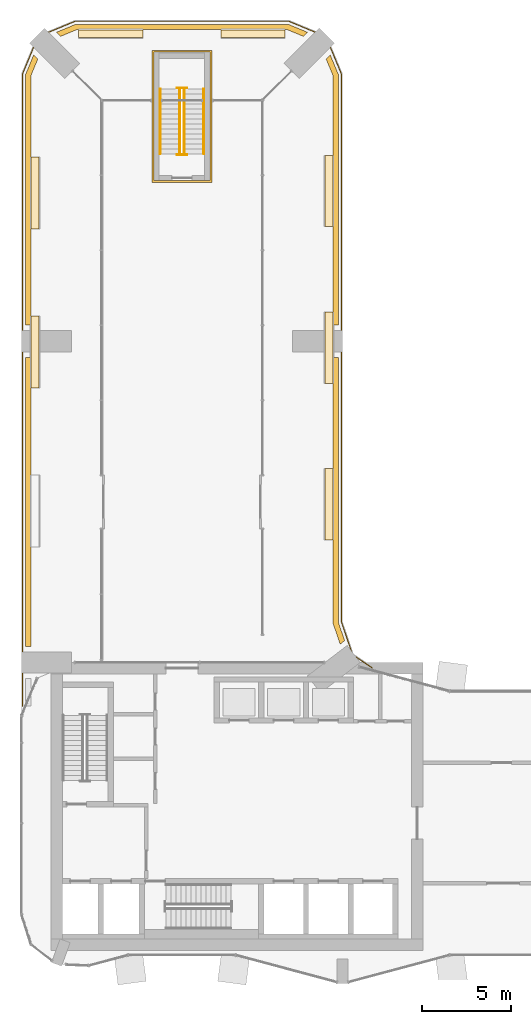
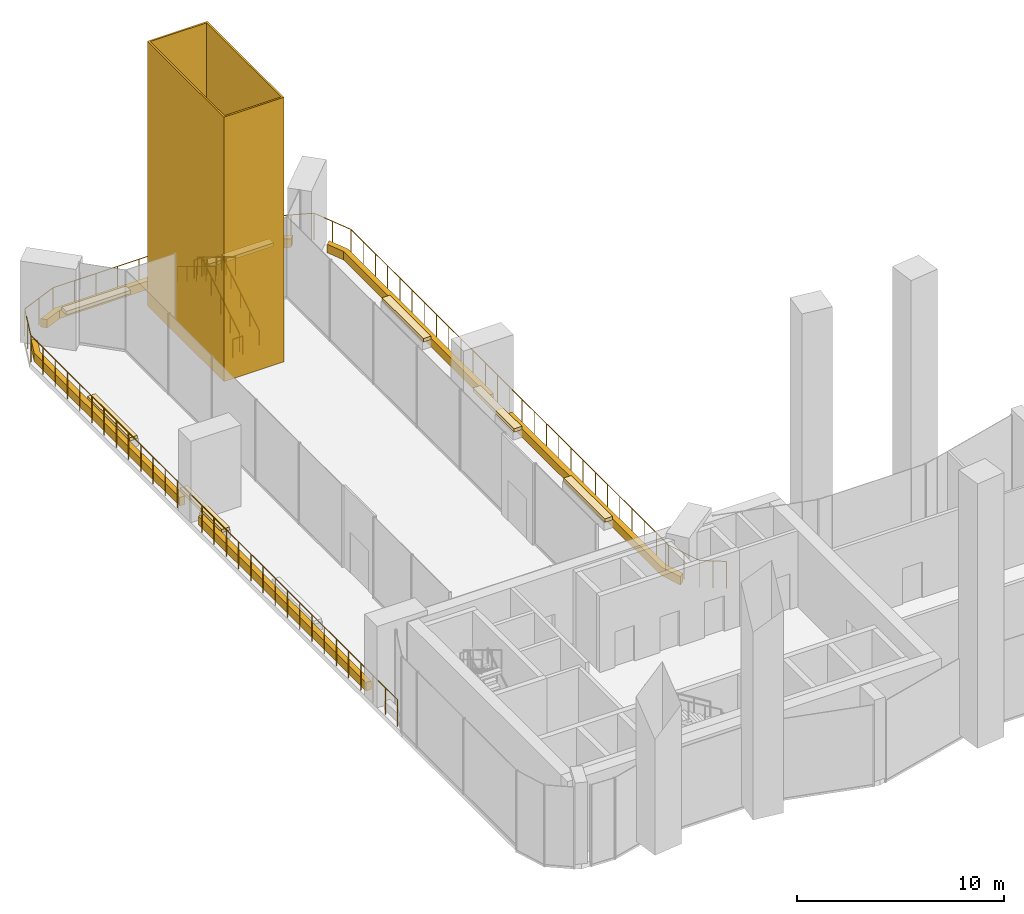
# One storey, part 21 of 23: 13 coverings, 7 railings.
"""IFC4 building model written with IfcOpenShell, lengths in metres."""

from ifc_helpers import new_model, si_unit, direction, frame, origin, origin_2d, place, context, subcontext, project, spatial, polyline, circle, outline, extrude, material, layer, layer_set, type_object, element, save


model = new_model("IFC4")

# Units and contexts
model_context = context("Model", 3, precision=1e-05, world=origin(), true_north=direction((0.0, 1.0)))
body_context = subcontext(model_context, "Body", "Model", "MODEL_VIEW")
ifc_project = project(units=[si_unit("LENGTHUNIT", "METRE"), si_unit("AREAUNIT", "SQUARE_METRE"), si_unit("VOLUMEUNIT", "CUBIC_METRE"), si_unit("PLANEANGLEUNIT", "RADIAN"), si_unit("MASSUNIT", "GRAM", prefix="KILO")], contexts=[model_context])

# Site, building, storey
site_placement = place(None, origin())
site = spatial("IfcSite", under=ifc_project, at=site_placement, CompositionType="ELEMENT")
building_placement = place(site_placement, origin())
building = spatial("IfcBuilding", under=site, at=building_placement, Name="Plateau Cross Towers", CompositionType="ELEMENT")
storey_placement = place(building_placement, frame((0.0, 0.0, 123.800048828125)))
storey = spatial("IfcBuildingStorey", under=building, at=storey_placement, Name="L32", CompositionType="ELEMENT", Elevation=123.800048828125)

# Railing
ifc_material_1 = material(Name="Stainless steel and toughened glass", Category="steel")
railing_type_1 = type_object("IfcRailingType", Name="Glass balustrade guard 1600", PredefinedType="GUARDRAIL", material=ifc_material_1)
railing_1_placement = place(storey_placement, frame((0.070556640625, 15.552978515625, 0.0)))
element("IfcRailing", 1, at=railing_1_placement, inside=storey, type_object=railing_type_1, Name="Guard guard1", PredefinedType="GUARDRAIL", context=body_context, shape_type="SweptSolid", body=[
    extrude(circle(Radius=0.02392578125, at=origin_2d()), frame((0.0, 0.0, 1.576171875), z_axis=(-1.3780368e-05, 0.999999999905, 0.0), x_axis=(-0.999999999905, -1.3780368e-05, 0.0)), (0.0, 0.0, 1.0), 35.43310546875),
    extrude(circle(Radius=0.02392578125, at=origin_2d()), frame((-0.00048828125, 35.43310546875, 1.576171875), z_axis=(0.382721830713, 0.92386362646, 0.0), x_axis=(-0.92386362646, 0.382721830713, 0.0)), (0.0, 0.0, 1.0), 2.253173828125),
    extrude(circle(Radius=0.02392578125, at=origin_2d()), frame((0.86181640625, 37.5146484375, 1.576171875), z_axis=(0.92386362646, 0.382721830713, 0.0), x_axis=(-0.382721830713, 0.92386362646, 0.0)), (0.0, 0.0, 1.0), 2.253173828125),
    extrude(circle(Radius=0.02392578125, at=origin_2d()), frame((2.943359375, 38.376953125, 1.576171875), z_axis=(1.0, 0.0, 0.0), x_axis=(0.0, 1.0, 0.0)), (0.0, 0.0, 1.0), 11.97216796875),
    extrude(circle(Radius=0.02392578125, at=origin_2d()), frame((14.91552734375, 38.376953125, 1.576171875), z_axis=(0.92386362646, -0.382721830713, 0.0), x_axis=(0.382721830713, 0.92386362646, 0.0)), (0.0, 0.0, 1.0), 2.253173828125),
    extrude(circle(Radius=0.02392578125, at=origin_2d()), frame((16.9970703125, 37.5146484375, 1.576171875), z_axis=(0.382721830713, -0.92386362646, 0.0), x_axis=(0.92386362646, 0.382721830713, 0.0)), (0.0, 0.0, 1.0), 2.253173828125),
    extrude(circle(Radius=0.02392578125, at=origin_2d()), frame((17.859375, 35.43310546875, 1.576171875), z_axis=(0.0, -1.0, 0.0), x_axis=(1.0, 0.0, 0.0)), (0.0, 0.0, 1.0), 30.6953125),
    extrude(circle(Radius=0.02392578125, at=origin_2d()), frame((17.859375, 4.73779296875, 1.576171875), z_axis=(0.321555091305, -0.946890871883, 0.0), x_axis=(0.946890871883, 0.321555091305, 0.0)), (0.0, 0.0, 1.0), 1.964111328125),
    extrude(circle(Radius=0.02392578125, at=origin_2d()), frame((18.490966796875, 2.8779296875, 1.576171875), z_axis=(0.831512760416, -0.555505651876, 0.0), x_axis=(0.555505651876, 0.831512760416, 0.0)), (0.0, 0.0, 1.0), 1.32861328125),
    extrude(circle(Radius=0.02099609375, at=origin_2d()), origin(), (0.0, 0.0, 1.0), 1.552001953125),
    extrude(circle(Radius=0.02099609375, at=origin_2d()), frame((0.0, 1.18115234375, 0.0)), (0.0, 0.0, 1.0), 1.552001953125),
    extrude(circle(Radius=0.02099609375, at=origin_2d()), frame((0.0, 2.3623046875, 0.0)), (0.0, 0.0, 1.0), 1.552001953125),
    extrude(circle(Radius=0.02099609375, at=origin_2d()), frame((0.0, 3.543212890625, 0.0)), (0.0, 0.0, 1.0), 1.552001953125),
    extrude(circle(Radius=0.02099609375, at=origin_2d()), frame((0.0, 4.724365234375, 0.0)), (0.0, 0.0, 1.0), 1.552001953125),
    extrude(circle(Radius=0.02099609375, at=origin_2d()), frame((0.0, 5.905517578125, 0.0)), (0.0, 0.0, 1.0), 1.552001953125),
    extrude(circle(Radius=0.02099609375, at=origin_2d()), frame((0.0, 7.086669921875, 0.0)), (0.0, 0.0, 1.0), 1.552001953125),
    extrude(circle(Radius=0.02099609375, at=origin_2d()), frame((0.0, 8.267822265625, 0.0)), (0.0, 0.0, 1.0), 1.552001953125),
    extrude(circle(Radius=0.02099609375, at=origin_2d()), frame((-0.000244140625, 9.44873046875, 0.0)), (0.0, 0.0, 1.0), 1.552001953125),
    extrude(circle(Radius=0.02099609375, at=origin_2d()), frame((-0.000244140625, 10.6298828125, 0.0)), (0.0, 0.0, 1.0), 1.552001953125),
    extrude(circle(Radius=0.02099609375, at=origin_2d()), frame((-0.000244140625, 11.81103515625, 0.0)), (0.0, 0.0, 1.0), 1.552001953125),
    extrude(circle(Radius=0.02099609375, at=origin_2d()), frame((-0.000244140625, 12.9921875, 0.0)), (0.0, 0.0, 1.0), 1.552001953125),
    extrude(circle(Radius=0.02099609375, at=origin_2d()), frame((-0.000244140625, 14.17333984375, 0.0)), (0.0, 0.0, 1.0), 1.552001953125),
    extrude(circle(Radius=0.02099609375, at=origin_2d()), frame((-0.000244140625, 15.354248046875, 0.0)), (0.0, 0.0, 1.0), 1.552001953125),
    extrude(circle(Radius=0.02099609375, at=origin_2d()), frame((-0.000244140625, 16.535400390625, 0.0)), (0.0, 0.0, 1.0), 1.552001953125),
    extrude(circle(Radius=0.02099609375, at=origin_2d()), frame((-0.000244140625, 17.716552734375, 0.0)), (0.0, 0.0, 1.0), 1.552001953125),
    extrude(circle(Radius=0.02099609375, at=origin_2d()), frame((-0.000244140625, 18.897705078125, 0.0)), (0.0, 0.0, 1.0), 1.552001953125),
    extrude(circle(Radius=0.02099609375, at=origin_2d()), frame((-0.000244140625, 20.078857421875, 0.0)), (0.0, 0.0, 1.0), 1.552001953125),
    extrude(circle(Radius=0.02099609375, at=origin_2d()), frame((-0.000244140625, 21.259765625, 0.0)), (0.0, 0.0, 1.0), 1.552001953125),
    extrude(circle(Radius=0.02099609375, at=origin_2d()), frame((-0.000244140625, 22.44091796875, 0.0)), (0.0, 0.0, 1.0), 1.552001953125),
    extrude(circle(Radius=0.02099609375, at=origin_2d()), frame((-0.000244140625, 23.6220703125, 0.0)), (0.0, 0.0, 1.0), 1.552001953125),
    extrude(circle(Radius=0.02099609375, at=origin_2d()), frame((-0.000244140625, 24.80322265625, 0.0)), (0.0, 0.0, 1.0), 1.552001953125),
    extrude(circle(Radius=0.02099609375, at=origin_2d()), frame((-0.000244140625, 25.984375, 0.0)), (0.0, 0.0, 1.0), 1.552001953125),
    extrude(circle(Radius=0.02099609375, at=origin_2d()), frame((-0.00048828125, 27.165283203125, 0.0)), (0.0, 0.0, 1.0), 1.552001953125),
    extrude(circle(Radius=0.02099609375, at=origin_2d()), frame((-0.00048828125, 28.346435546875, 0.0)), (0.0, 0.0, 1.0), 1.552001953125),
    extrude(circle(Radius=0.02099609375, at=origin_2d()), frame((-0.00048828125, 29.527587890625, 0.0)), (0.0, 0.0, 1.0), 1.552001953125),
    extrude(circle(Radius=0.02099609375, at=origin_2d()), frame((-0.00048828125, 30.708740234375, 0.0)), (0.0, 0.0, 1.0), 1.552001953125),
    extrude(circle(Radius=0.02099609375, at=origin_2d()), frame((-0.00048828125, 31.889892578125, 0.0)), (0.0, 0.0, 1.0), 1.552001953125),
    extrude(circle(Radius=0.02099609375, at=origin_2d()), frame((-0.00048828125, 33.07080078125, 0.0)), (0.0, 0.0, 1.0), 1.552001953125),
    extrude(circle(Radius=0.02099609375, at=origin_2d()), frame((-0.00048828125, 34.251953125, 0.0)), (0.0, 0.0, 1.0), 1.552001953125),
    extrude(circle(Radius=0.02099609375, at=origin_2d()), frame((-0.00048828125, 35.43310546875, 0.0)), (0.0, 0.0, 1.0), 1.552001953125),
    extrude(circle(Radius=0.02099609375, at=origin_2d()), frame((0.4306640625, 36.473876953125, 0.0)), (0.0, 0.0, 1.0), 1.552001953125),
    extrude(circle(Radius=0.02099609375, at=origin_2d()), frame((0.86181640625, 37.5146484375, 0.0)), (0.0, 0.0, 1.0), 1.552001953125),
    extrude(circle(Radius=0.02099609375, at=origin_2d()), frame((1.902587890625, 37.94580078125, 0.0)), (0.0, 0.0, 1.0), 1.552001953125),
    extrude(circle(Radius=0.02099609375, at=origin_2d()), frame((2.943359375, 38.376953125, 0.0)), (0.0, 0.0, 1.0), 1.552001953125),
    extrude(circle(Radius=0.02099609375, at=origin_2d()), frame((4.140625, 38.376953125, 0.0)), (0.0, 0.0, 1.0), 1.552001953125),
    extrude(circle(Radius=0.02099609375, at=origin_2d()), frame((5.337890625, 38.376953125, 0.0)), (0.0, 0.0, 1.0), 1.552001953125),
    extrude(circle(Radius=0.02099609375, at=origin_2d()), frame((6.534912109375, 38.376953125, 0.0)), (0.0, 0.0, 1.0), 1.552001953125),
    extrude(circle(Radius=0.02099609375, at=origin_2d()), frame((7.732177734375, 38.376953125, 0.0)), (0.0, 0.0, 1.0), 1.552001953125),
    extrude(circle(Radius=0.02099609375, at=origin_2d()), frame((8.929443359375, 38.376953125, 0.0)), (0.0, 0.0, 1.0), 1.552001953125),
    extrude(circle(Radius=0.02099609375, at=origin_2d()), frame((10.126708984375, 38.376953125, 0.0)), (0.0, 0.0, 1.0), 1.552001953125),
    extrude(circle(Radius=0.02099609375, at=origin_2d()), frame((11.323974609375, 38.376953125, 0.0)), (0.0, 0.0, 1.0), 1.552001953125),
    extrude(circle(Radius=0.02099609375, at=origin_2d()), frame((12.52099609375, 38.376953125, 0.0)), (0.0, 0.0, 1.0), 1.552001953125),
    extrude(circle(Radius=0.02099609375, at=origin_2d()), frame((13.71826171875, 38.376953125, 0.0)), (0.0, 0.0, 1.0), 1.552001953125),
    extrude(circle(Radius=0.02099609375, at=origin_2d()), frame((14.91552734375, 38.376953125, 0.0)), (0.0, 0.0, 1.0), 1.552001953125),
    extrude(circle(Radius=0.02099609375, at=origin_2d()), frame((15.956298828125, 37.94580078125, 0.0)), (0.0, 0.0, 1.0), 1.552001953125),
    extrude(circle(Radius=0.02099609375, at=origin_2d()), frame((16.9970703125, 37.5146484375, 0.0)), (0.0, 0.0, 1.0), 1.552001953125),
    extrude(circle(Radius=0.02099609375, at=origin_2d()), frame((17.42822265625, 36.473876953125, 0.0)), (0.0, 0.0, 1.0), 1.552001953125),
    extrude(circle(Radius=0.02099609375, at=origin_2d()), frame((17.859375, 35.43310546875, 0.0)), (0.0, 0.0, 1.0), 1.552001953125),
    extrude(circle(Radius=0.02099609375, at=origin_2d()), frame((17.859375, 34.25244140625, 0.0)), (0.0, 0.0, 1.0), 1.552001953125),
    extrude(circle(Radius=0.02099609375, at=origin_2d()), frame((17.859375, 33.072021484375, 0.0)), (0.0, 0.0, 1.0), 1.552001953125),
    extrude(circle(Radius=0.02099609375, at=origin_2d()), frame((17.859375, 31.891357421875, 0.0)), (0.0, 0.0, 1.0), 1.552001953125),
    extrude(circle(Radius=0.02099609375, at=origin_2d()), frame((17.859375, 30.710693359375, 0.0)), (0.0, 0.0, 1.0), 1.552001953125),
    extrude(circle(Radius=0.02099609375, at=origin_2d()), frame((17.859375, 29.5302734375, 0.0)), (0.0, 0.0, 1.0), 1.552001953125),
    extrude(circle(Radius=0.02099609375, at=origin_2d()), frame((17.859375, 28.349609375, 0.0)), (0.0, 0.0, 1.0), 1.552001953125),
    extrude(circle(Radius=0.02099609375, at=origin_2d()), frame((17.859375, 27.1689453125, 0.0)), (0.0, 0.0, 1.0), 1.552001953125),
    extrude(circle(Radius=0.02099609375, at=origin_2d()), frame((17.859375, 25.98828125, 0.0)), (0.0, 0.0, 1.0), 1.552001953125),
    extrude(circle(Radius=0.02099609375, at=origin_2d()), frame((17.859375, 24.807861328125, 0.0)), (0.0, 0.0, 1.0), 1.552001953125),
    extrude(circle(Radius=0.02099609375, at=origin_2d()), frame((17.859375, 23.627197265625, 0.0)), (0.0, 0.0, 1.0), 1.552001953125),
    extrude(circle(Radius=0.02099609375, at=origin_2d()), frame((17.859375, 22.446533203125, 0.0)), (0.0, 0.0, 1.0), 1.552001953125),
    extrude(circle(Radius=0.02099609375, at=origin_2d()), frame((17.859375, 21.26611328125, 0.0)), (0.0, 0.0, 1.0), 1.552001953125),
    extrude(circle(Radius=0.02099609375, at=origin_2d()), frame((17.859375, 20.08544921875, 0.0)), (0.0, 0.0, 1.0), 1.552001953125),
    extrude(circle(Radius=0.02099609375, at=origin_2d()), frame((17.859375, 18.90478515625, 0.0)), (0.0, 0.0, 1.0), 1.552001953125),
    extrude(circle(Radius=0.02099609375, at=origin_2d()), frame((17.859375, 17.724365234375, 0.0)), (0.0, 0.0, 1.0), 1.552001953125),
    extrude(circle(Radius=0.02099609375, at=origin_2d()), frame((17.859375, 16.543701171875, 0.0)), (0.0, 0.0, 1.0), 1.552001953125),
    extrude(circle(Radius=0.02099609375, at=origin_2d()), frame((17.859375, 15.363037109375, 0.0)), (0.0, 0.0, 1.0), 1.552001953125),
    extrude(circle(Radius=0.02099609375, at=origin_2d()), frame((17.859375, 14.1826171875, 0.0)), (0.0, 0.0, 1.0), 1.552001953125),
    extrude(circle(Radius=0.02099609375, at=origin_2d()), frame((17.859375, 13.001953125, 0.0)), (0.0, 0.0, 1.0), 1.552001953125),
    extrude(circle(Radius=0.02099609375, at=origin_2d()), frame((17.859375, 11.8212890625, 0.0)), (0.0, 0.0, 1.0), 1.552001953125),
    extrude(circle(Radius=0.02099609375, at=origin_2d()), frame((17.859375, 10.640625, 0.0)), (0.0, 0.0, 1.0), 1.552001953125),
    extrude(circle(Radius=0.02099609375, at=origin_2d()), frame((17.859375, 9.460205078125, 0.0)), (0.0, 0.0, 1.0), 1.552001953125),
    extrude(circle(Radius=0.02099609375, at=origin_2d()), frame((17.859375, 8.279541015625, 0.0)), (0.0, 0.0, 1.0), 1.552001953125),
    extrude(circle(Radius=0.02099609375, at=origin_2d()), frame((17.859375, 7.098876953125, 0.0)), (0.0, 0.0, 1.0), 1.552001953125),
    extrude(circle(Radius=0.02099609375, at=origin_2d()), frame((17.859375, 5.91845703125, 0.0)), (0.0, 0.0, 1.0), 1.552001953125),
    extrude(circle(Radius=0.02099609375, at=origin_2d()), frame((17.859375, 4.73779296875, 0.0)), (0.0, 0.0, 1.0), 1.552001953125),
    extrude(circle(Radius=0.02099609375, at=origin_2d()), frame((18.17529296875, 3.807861328125, 0.0)), (0.0, 0.0, 1.0), 1.552001953125),
    extrude(circle(Radius=0.02099609375, at=origin_2d()), frame((18.490966796875, 2.8779296875, 0.0)), (0.0, 0.0, 1.0), 1.552001953125),
    extrude(circle(Radius=0.02099609375, at=origin_2d()), frame((19.04345703125, 2.5087890625, 0.0)), (0.0, 0.0, 1.0), 1.552001953125),
    extrude(circle(Radius=0.02099609375, at=origin_2d()), frame((19.595703125, 2.139892578125, 0.0)), (0.0, 0.0, 1.0), 1.552001953125),
])

# Coverings
ifc_material_2 = material(Name="Planting substrate and ground cover")
ifc_layer_1 = layer(ifc_material_2, 0.199951171875)
ifc_layer_set_1 = layer_set([ifc_layer_1], Name="Planting substrate and ground cover")
covering_type_1 = type_object("IfcCoveringType", Name="Planting bed 200", PredefinedType="FLOORING", material=ifc_layer_set_1)
covering_1_placement = place(storey_placement, frame((0.0, 0.0, 0.449951171875)))
element("IfcCovering", 2, at=covering_1_placement, inside=storey, type_object=covering_type_1, Name="Planting bed 2", PredefinedType="FLOORING", context=body_context, shape_type="SweptSolid", body=[
    extrude(outline(polyline([(0.55029296875, 37.423828125), (0.980224609375, 37.423828125), (0.980224609375, 33.36962890625), (0.55029296875, 33.36962890625), (0.55029296875, 37.423828125)])), origin(), (0.0, 0.0, 1.0), 0.199951171875),
])
covering_2_placement = place(storey_placement, frame((0.0, 0.0, 0.449951171875)))
element("IfcCovering", 3, at=covering_2_placement, inside=storey, type_object=covering_type_1, Name="Planting bed 3", PredefinedType="FLOORING", context=body_context, shape_type="SweptSolid", body=[
    extrude(outline(polyline([(0.550048828125, 46.33203125), (0.97998046875, 46.33203125), (0.980224609375, 42.27783203125), (0.550048828125, 42.27783203125), (0.550048828125, 46.33203125)])), origin(), (0.0, 0.0, 1.0), 0.199951171875),
])
covering_3_placement = place(storey_placement, frame((0.0, 0.0, 0.449951171875)))
element("IfcCovering", 4, at=covering_3_placement, inside=storey, type_object=covering_type_1, Name="Planting bed 4", PredefinedType="FLOORING", context=body_context, shape_type="SweptSolid", body=[
    extrude(outline(polyline([(6.8046875, 53.449951171875), (6.8046875, 53.02001953125), (3.2138671875, 53.02001953125), (3.2138671875, 53.449951171875), (6.8046875, 53.449951171875)])), origin(), (0.0, 0.0, 1.0), 0.199951171875),
])
covering_4_placement = place(storey_placement, frame((0.0, 0.0, 0.449951171875)))
element("IfcCovering", 5, at=covering_4_placement, inside=storey, type_object=covering_type_1, Name="Planting bed 5", PredefinedType="FLOORING", context=body_context, shape_type="SweptSolid", body=[
    extrude(outline(polyline([(14.7861328125, 53.449951171875), (14.7861328125, 53.02001953125), (11.1953125, 53.02001953125), (11.1953125, 53.449951171875), (14.7861328125, 53.449951171875)])), origin(), (0.0, 0.0, 1.0), 0.199951171875),
])
covering_5_placement = place(storey_placement, frame((0.0, 0.0, 0.449951171875)))
element("IfcCovering", 6, at=covering_5_placement, inside=storey, type_object=covering_type_1, Name="Planting bed 6", PredefinedType="FLOORING", context=body_context, shape_type="SweptSolid", body=[
    extrude(outline(polyline([(17.449951171875, 42.416015625), (17.02001953125, 42.416015625), (17.02001953125, 46.401123046875), (17.449951171875, 46.401123046875), (17.449951171875, 42.416015625)])), origin(), (0.0, 0.0, 1.0), 0.199951171875),
])
covering_6_placement = place(storey_placement, frame((0.0, 0.0, 0.449951171875)))
element("IfcCovering", 7, at=covering_6_placement, inside=storey, type_object=covering_type_1, Name="Planting bed 7", PredefinedType="FLOORING", context=body_context, shape_type="SweptSolid", body=[
    extrude(outline(polyline([(17.449951171875, 33.645751953125), (17.02001953125, 33.645751953125), (17.02001953125, 37.630859375), (17.449951171875, 37.630859375), (17.449951171875, 33.645751953125)])), origin(), (0.0, 0.0, 1.0), 0.199951171875),
])
covering_7_placement = place(storey_placement, frame((0.0, 0.0, 0.449951171875)))
element("IfcCovering", 8, at=covering_7_placement, inside=storey, type_object=covering_type_1, Name="Planting bed 8", PredefinedType="FLOORING", context=body_context, shape_type="SweptSolid", body=[
    extrude(outline(polyline([(17.449951171875, 24.875732421875), (17.02001953125, 24.875732421875), (17.02001953125, 28.86083984375), (17.449951171875, 28.86083984375), (17.449951171875, 24.875732421875)])), origin(), (0.0, 0.0, 1.0), 0.199951171875),
])

# Railings
railing_type_2 = type_object("IfcRailingType", Name="RL-GUARD-1100", PredefinedType="GUARDRAIL", material=ifc_material_1)
railing_2_placement = place(storey_placement, frame((9.125, 46.5, 0.17138671875)))
element("IfcRailing", 9, at=railing_2_placement, inside=storey, type_object=railing_type_2, Name="L32 ES-N stair guard 1", PredefinedType="GUARDRAIL", context=body_context, shape_type="SweptSolid", body=[
    extrude(circle(Radius=0.02392578125, at=origin_2d()), frame((0.0, 0.0, 1.076171875), z_axis=(0.0, 0.852850264322, 0.5221555579), x_axis=(-1.0, 0.0, 0.0)), (0.0, 0.0, 1.0), 4.267822265625),
    extrude(circle(Radius=0.02099609375, at=origin_2d()), origin(), (0.0, 0.0, 1.0), 1.052001953125),
    extrude(circle(Radius=0.02099609375, at=origin_2d()), frame((0.0, 0.909912109375, 0.55712890625)), (0.0, 0.0, 1.0), 1.052001953125),
    extrude(circle(Radius=0.02099609375, at=origin_2d()), frame((0.0, 1.81982421875, 1.1142578125)), (0.0, 0.0, 1.0), 1.052001953125),
    extrude(circle(Radius=0.02099609375, at=origin_2d()), frame((0.0, 2.72998046875, 1.67138671875)), (0.0, 0.0, 1.0), 1.052001953125),
    extrude(circle(Radius=0.02099609375, at=origin_2d()), frame((0.0, 3.639892578125, 2.228515625)), (0.0, 0.0, 1.0), 1.052001953125),
])
railing_3_placement = place(storey_placement, frame((9.27490234375, 50.18994140625, 2.39990234375)))
element("IfcRailing", 10, at=railing_3_placement, inside=storey, type_object=railing_type_2, Name="L32 ES-N stair guard 2", PredefinedType="GUARDRAIL", context=body_context, shape_type="SweptSolid", body=[
    extrude(circle(Radius=0.02392578125, at=origin_2d()), frame((0.0, 0.0, 1.076171875), z_axis=(-1.0, 0.0, 0.0), x_axis=(0.0, -1.0, 0.0)), (0.0, 0.0, 1.0), 0.5498046875),
    extrude(circle(Radius=0.02099609375, at=origin_2d()), origin(), (0.0, 0.0, 1.0), 1.052001953125),
    extrude(circle(Radius=0.02099609375, at=origin_2d()), frame((-0.5498046875, 0.0, 0.0)), (0.0, 0.0, 1.0), 1.052001953125),
])
railing_4_placement = place(storey_placement, frame((8.875, 50.139892578125, 2.5712890625)))
element("IfcRailing", 11, at=railing_4_placement, inside=storey, type_object=railing_type_2, Name="L32 ES-N stair guard 3", PredefinedType="GUARDRAIL", context=body_context, shape_type="SweptSolid", body=[
    extrude(circle(Radius=0.02392578125, at=origin_2d()), frame((0.0, 0.0, 1.076171875), z_axis=(0.0, -0.855975070114, 0.517017097729), x_axis=(1.0, 0.0, 0.0)), (0.0, 0.0, 1.0), 4.310791015625),
    extrude(circle(Radius=0.02099609375, at=origin_2d()), origin(), (0.0, 0.0, 1.0), 1.052001953125),
    extrude(circle(Radius=0.02099609375, at=origin_2d()), frame((0.0, -0.92236328125, 0.55712890625)), (0.0, 0.0, 1.0), 1.052001953125),
    extrude(circle(Radius=0.02099609375, at=origin_2d()), frame((0.0, -1.844970703125, 1.1142578125)), (0.0, 0.0, 1.0), 1.052001953125),
    extrude(circle(Radius=0.02099609375, at=origin_2d()), frame((0.0, -2.767578125, 1.671630859375)), (0.0, 0.0, 1.0), 1.052001953125),
    extrude(circle(Radius=0.02099609375, at=origin_2d()), frame((0.0, -3.68994140625, 2.228759765625)), (0.0, 0.0, 1.0), 1.052001953125),
])
railing_5_placement = place(storey_placement, frame((9.27490234375, 46.449951171875, 0.0)))
element("IfcRailing", 12, at=railing_5_placement, inside=storey, type_object=railing_type_2, Name="L32 ES-N stair guard 4", PredefinedType="GUARDRAIL", context=body_context, shape_type="SweptSolid", body=[
    extrude(circle(Radius=0.02392578125, at=origin_2d()), frame((0.0, 0.0, 1.076171875), z_axis=(-1.0, 0.0, 0.0), x_axis=(0.0, -1.0, 0.0)), (0.0, 0.0, 1.0), 0.5498046875),
    extrude(circle(Radius=0.02099609375, at=origin_2d()), origin(), (0.0, 0.0, 1.0), 1.052001953125),
    extrude(circle(Radius=0.02099609375, at=origin_2d()), frame((-0.5498046875, 0.0, 0.0)), (0.0, 0.0, 1.0), 1.052001953125),
])
ifc_material_3 = material(Name="Black anodised aluminium", Category="aluminium")
railing_type_3 = type_object("IfcRailingType", Name="RL-HANDRAIL-900", PredefinedType="HANDRAIL", material=ifc_material_3)
railing_6_placement = place(storey_placement, frame((10.22509765625, 46.5, 0.17138671875)))
element("IfcRailing", 13, at=railing_6_placement, inside=storey, type_object=railing_type_3, Name="L32 ES-N stair handrail 1", PredefinedType="HANDRAIL", context=body_context, shape_type="SweptSolid", body=[
    extrude(circle(Radius=0.02392578125, at=origin_2d()), frame((0.0, 0.0, 0.8759765625), z_axis=(0.0, 0.852850264322, 0.5221555579), x_axis=(-1.0, 0.0, 0.0)), (0.0, 0.0, 1.0), 4.267822265625),
    extrude(circle(Radius=0.02099609375, at=origin_2d()), origin(), (0.0, 0.0, 1.0), 0.851806640625),
    extrude(circle(Radius=0.02099609375, at=origin_2d()), frame((0.0, 0.909912109375, 0.55712890625)), (0.0, 0.0, 1.0), 0.851806640625),
    extrude(circle(Radius=0.02099609375, at=origin_2d()), frame((0.0, 1.81982421875, 1.1142578125)), (0.0, 0.0, 1.0), 0.851806640625),
    extrude(circle(Radius=0.02099609375, at=origin_2d()), frame((0.0, 2.72998046875, 1.67138671875)), (0.0, 0.0, 1.0), 0.851806640625),
    extrude(circle(Radius=0.02099609375, at=origin_2d()), frame((0.0, 3.639892578125, 2.228515625)), (0.0, 0.0, 1.0), 0.851806640625),
])
railing_7_placement = place(storey_placement, frame((7.77490234375, 50.139892578125, 2.5712890625)))
element("IfcRailing", 14, at=railing_7_placement, inside=storey, type_object=railing_type_3, Name="L32 ES-N stair handrail 2", PredefinedType="HANDRAIL", context=body_context, shape_type="SweptSolid", body=[
    extrude(circle(Radius=0.02392578125, at=origin_2d()), frame((0.0, 0.0, 0.8759765625), z_axis=(0.0, -0.852824790078, 0.522197163366), x_axis=(1.0, 0.0, 0.0)), (0.0, 0.0, 1.0), 4.26806640625),
    extrude(circle(Radius=0.02099609375, at=origin_2d()), origin(), (0.0, 0.0, 1.0), 0.851806640625),
    extrude(circle(Radius=0.02099609375, at=origin_2d()), frame((0.0, -0.909912109375, 0.55712890625)), (0.0, 0.0, 1.0), 0.851806640625),
    extrude(circle(Radius=0.02099609375, at=origin_2d()), frame((0.0, -1.81982421875, 1.1142578125)), (0.0, 0.0, 1.0), 0.851806640625),
    extrude(circle(Radius=0.02099609375, at=origin_2d()), frame((0.0, -2.72998046875, 1.671630859375)), (0.0, 0.0, 1.0), 0.851806640625),
    extrude(circle(Radius=0.02099609375, at=origin_2d()), frame((0.0, -3.639892578125, 2.228759765625)), (0.0, 0.0, 1.0), 0.851806640625),
])

# Coverings
ifc_material_4 = material(Name="Light precast concrete cladding C40/50", Category="concrete")
covering_type_2 = type_object("IfcCoveringType", Name="Sill kerb cladding 300x500", PredefinedType="CLADDING", material=ifc_material_4)
covering_8_placement = place(storey_placement, origin())
element("IfcCovering", 15, at=covering_8_placement, inside=storey, type_object=covering_type_2, Name="Sill kerb 1", PredefinedType="CLADDING", context=body_context, shape_type="SweptSolid", body=[
    extrude(outline(polyline([(0.689697265625, 52.03759765625), (0.919189453125, 51.80810546875), (0.5400390625, 50.892578125), (0.540283203125, 36.89990234375), (0.240234375, 36.89990234375), (0.239990234375, 50.9521484375), (0.689697265625, 52.03759765625)])), origin(), (0.0, 0.0, 1.0), 0.5),
])
covering_9_placement = place(storey_placement, origin())
element("IfcCovering", 16, at=covering_9_placement, inside=storey, type_object=covering_type_2, Name="Sill kerb 2", PredefinedType="CLADDING", context=body_context, shape_type="SweptSolid", body=[
    extrude(outline(polyline([(3.0478515625, 53.760009765625), (14.9521484375, 53.760009765625), (16.03759765625, 53.310302734375), (15.80810546875, 53.080810546875), (14.892578125, 53.4599609375), (3.107421875, 53.4599609375), (2.19189453125, 53.080810546875), (1.96240234375, 53.310302734375), (3.0478515625, 53.760009765625)])), origin(), (0.0, 0.0, 1.0), 0.5),
])
covering_10_placement = place(storey_placement, origin())
element("IfcCovering", 17, at=covering_10_placement, inside=storey, type_object=covering_type_2, Name="Sill kerb 3", PredefinedType="CLADDING", context=body_context, shape_type="SweptSolid", body=[
    extrude(outline(polyline([(17.760009765625, 50.9521484375), (17.760009765625, 36.89990234375), (17.4599609375, 36.89990234375), (17.4599609375, 50.892578125), (17.080810546875, 51.80810546875), (17.310302734375, 52.03759765625), (17.760009765625, 50.9521484375)])), origin(), (0.0, 0.0, 1.0), 0.5),
])
covering_11_placement = place(storey_placement, origin())
element("IfcCovering", 18, at=covering_11_placement, inside=storey, type_object=covering_type_2, Name="Sill kerb 4", PredefinedType="CLADDING", context=body_context, shape_type="SweptSolid", body=[
    extrude(outline(polyline([(17.760009765625, 20.294921875), (17.76123046875, 20.272216796875), (17.76416015625, 20.25390625), (17.770263671875, 20.232177734375), (18.114990234375, 19.217041015625), (18.096435546875, 19.20654296875), (18.072021484375, 19.18994140625), (17.862060546875, 19.028564453125), (17.483642578125, 20.1435546875), (17.470947265625, 20.18896484375), (17.462646484375, 20.239501953125), (17.4599609375, 20.28662109375), (17.4599609375, 35.10009765625), (17.760009765625, 35.10009765625), (17.760009765625, 20.294921875)])), origin(), (0.0, 0.0, 1.0), 0.5),
])
covering_12_placement = place(storey_placement, origin())
element("IfcCovering", 19, at=covering_12_placement, inside=storey, type_object=covering_type_2, Name="Sill kerb 5", PredefinedType="CLADDING", context=body_context, shape_type="SweptSolid", body=[
    extrude(outline(polyline([(0.54052734375, 18.89990234375), (0.240478515625, 18.89990234375), (0.240234375, 35.10009765625), (0.540283203125, 35.10009765625), (0.54052734375, 18.89990234375)])), origin(), (0.0, 0.0, 1.0), 0.5),
])
ifc_layer_2 = layer(ifc_material_4, 0.10009765625)
ifc_layer_set_2 = layer_set([ifc_layer_2], Name="Light precast concrete cladding C40/50")
covering_type_3 = type_object("IfcCoveringType", Name="Stair tower cladding 100", PredefinedType="CLADDING", material=ifc_layer_set_2)
covering_13_placement = place(storey_placement, origin())
element("IfcCovering", 20, at=covering_13_placement, inside=storey, type_object=covering_type_3, Name="Stair tower cladding", PredefinedType="CLADDING", context=body_context, shape_type="SweptSolid", body=[
    extrude(outline(polyline([(7.324951171875, 52.300048828125), (10.675048828125, 52.300048828125), (10.675048828125, 44.89990234375), (7.324951171875, 44.89990234375), (7.324951171875, 52.300048828125)]), holes=[polyline([(10.574951171875, 45.0), (10.574951171875, 52.199951171875), (7.425048828125, 52.199951171875), (7.425048828125, 45.0), (10.574951171875, 45.0)])]), origin(), (0.0, 0.0, 1.0), 15.599853515625),
])

save(model, "model.ifc")
